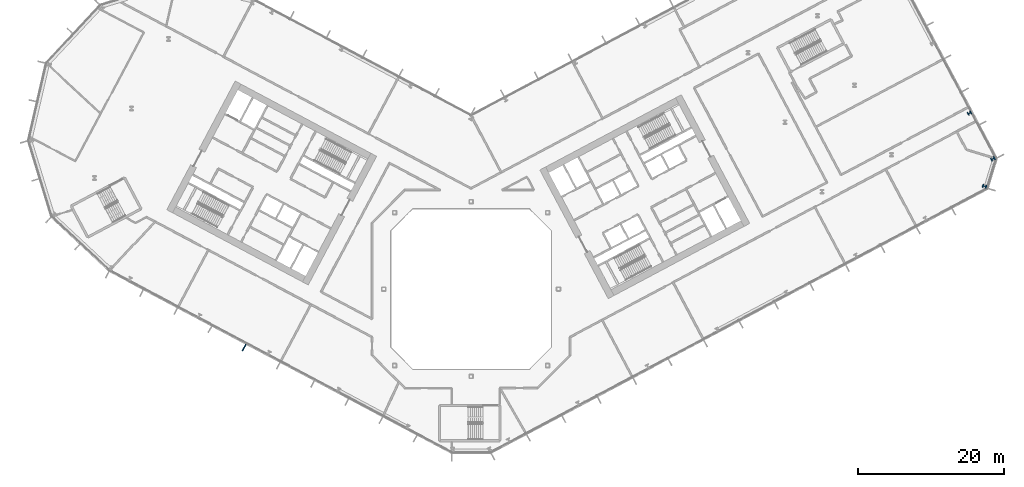
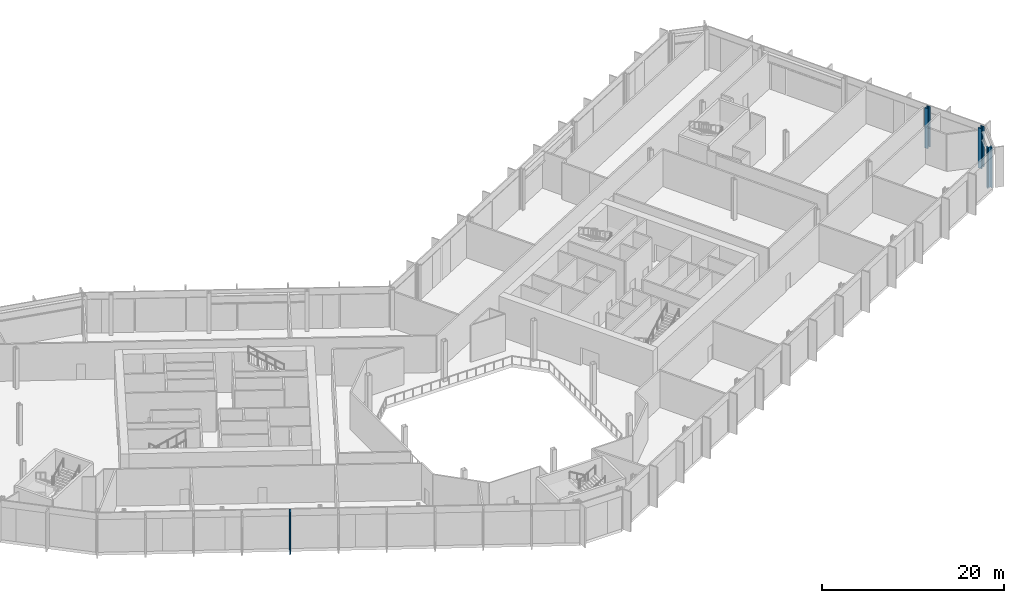
# One storey, part 5 of 32: 3 columns, 1 member, 1 element without a shape of its own.
"""IFC4 building model written with IfcOpenShell, lengths in metres."""

from ifc_helpers import new_model, si_unit, direction, frame, origin, origin_2d, place, context, subcontext, project, spatial, rectangle, i_section, extrude, material, layer, layer_set, material_profile, profile_set, type_object, element, aggregate, save


model = new_model("IFC4")

# Units and contexts
model_context = context("Model", 3, precision=1e-05, world=origin(), true_north=direction((0.0, 1.0)))
body_context = subcontext(model_context, "Body", "Model", "MODEL_VIEW")
ifc_project = project(units=[si_unit("LENGTHUNIT", "METRE"), si_unit("AREAUNIT", "SQUARE_METRE"), si_unit("VOLUMEUNIT", "CUBIC_METRE"), si_unit("PLANEANGLEUNIT", "RADIAN"), si_unit("MASSUNIT", "GRAM", prefix="KILO")], contexts=[model_context])

# Site, building, storey
site_placement = place(None, origin())
site = spatial("IfcSite", under=ifc_project, at=site_placement, CompositionType="ELEMENT")
building_placement = place(site_placement, origin())
building = spatial("IfcBuilding", under=site, at=building_placement, Name="Cormorant Relay Tower", CompositionType="ELEMENT")
storey_placement = place(building_placement, frame((0.0, 0.0, 28.39990234375)))
storey = spatial("IfcBuildingStorey", under=building, at=storey_placement, Name="L05", CompositionType="ELEMENT", Elevation=28.39990234375)

# Columns
ifc_material_1 = material(Name="Steel ASTM A992 (Fy 345 MPa)", Category="steel")
ifc_material_profile_1 = material_profile(ifc_material_1, i_section(OverallWidth=0.45458984375, OverallDepth=0.569091796875, WebThickness=0.077880859375, FlangeThickness=0.124755859375, FilletRadius=0.015380859375, at=origin_2d()), Name="W360x1086")
ifc_profile_set_1 = profile_set([ifc_material_profile_1], Name="Steel ASTM A992 (Fy 345 MPa)")
column_type_1 = type_object("IfcColumnType", Name="Column W360x1086", PredefinedType="COLUMN", material=ifc_profile_set_1)
for number, where, z_axis, x_axis, name in (
    (1, (70.47412109375, 14.10595703125, 0.0), (0.0, 0.0, 1.0), (0.292371704723, 0.956304755963, 0.0), "Column L05-026"),
    (2, (71.625, 17.87109375, 0.0), (0.0, 0.0, 1.0), (-0.469471562786, 0.882947592859, 0.0), "Column L05-028"),
):
    element("IfcColumn", number, at=place(storey_placement, frame(where, z_axis=z_axis, x_axis=x_axis)), inside=storey, type_object=column_type_1, Name=name, PredefinedType="COLUMN", context=body_context, shape_type="SweptSolid", body=[
        extrude(i_section(OverallWidth=0.45458984375, OverallDepth=0.569091796875, WebThickness=0.077880859375, FlangeThickness=0.124755859375, FilletRadius=0.015380859375, at=origin_2d()), origin(), (0.0, 0.0, 1.0), 5.400146484375),
    ])
ifc_material_2 = material(Name="Steel ASTM A992 (Fy 345 MPa)", Category="steel")
ifc_material_profile_2 = material_profile(ifc_material_2, i_section(OverallWidth=0.43701171875, OverallDepth=0.51318359375, WebThickness=0.060546875, FlangeThickness=0.096923828125, FilletRadius=0.015380859375, at=origin_2d()), Name="W360x818")
ifc_profile_set_2 = profile_set([ifc_material_profile_2], Name="Steel ASTM A992 (Fy 345 MPa)")
column_type_2 = type_object("IfcColumnType", Name="Column W360x818", PredefinedType="COLUMN", material=ifc_profile_set_2)
column_placement = place(storey_placement, frame((68.4130859375, 24.14404296875, 0.0), z_axis=(0.0, 0.0, 1.0), x_axis=(-0.469471562786, 0.882947592859, 0.0)))
element("IfcColumn", 3, at=column_placement, inside=storey, type_object=column_type_2, Name="Column L05-033", PredefinedType="COLUMN", context=body_context, shape_type="SweptSolid", body=[
    extrude(i_section(OverallWidth=0.43701171875, OverallDepth=0.51318359375, WebThickness=0.060546875, FlangeThickness=0.096923828125, FilletRadius=0.015380859375, at=origin_2d()), origin(), (0.0, 0.0, 1.0), 5.400146484375),
])

# Curtain wall, member
ifc_material_3 = material(Name="Aluminium 6063-T6 anodised bronze", Category="aluminium")
ifc_layer = layer(ifc_material_3, 0.235107421875)
ifc_layer_set = layer_set([ifc_layer], Name="CW6 data hall curtain wall with mineral wool panels")
curtain_wall_type = type_object("IfcCurtainWallType", Name="CW6 data hall curtain wall with mineral wool panels", PredefinedType="NOTDEFINED", material=ifc_layer_set)
curtain_wall_placement = place(storey_placement, origin())
curtain_wall = element("IfcCurtainWall", 4, at=curtain_wall_placement, inside=storey, type_object=curtain_wall_type, Name="CW6 curtain wall 14", PredefinedType="NOTDEFINED")
ifc_material_4 = material(Name="Aluminium 6063-T6 anodised bronze", Category="aluminium")
ifc_material_profile_3 = material_profile(ifc_material_4, rectangle(XDim=0.14990234375, YDim=1.0, at=origin_2d()), Name="AL 150x1000")
ifc_profile_set_3 = profile_set([ifc_material_profile_3], Name="Aluminium 6063-T6 anodised bronze")
member_type = type_object("IfcMemberType", Name="CW6 bronze fin mullion 150 x 1000", PredefinedType="MULLION", material=ifc_profile_set_3)
member_placement = place(storey_placement, frame((-31.159423828125, -8.048583984375, 0.0), z_axis=(0.0, 0.0, 1.0), x_axis=(0.882947592859, -0.469471562786, 0.0)))
member = element("IfcMember", 5, at=member_placement, type_object=member_type, Name="CW6 fin 14.5", PredefinedType="MULLION", context=body_context, shape_type="SweptSolid", body=[
    extrude(rectangle(XDim=0.14990234375, YDim=1.0, at=origin_2d()), origin(), (0.0, 0.0, 1.0), 5.400146484375),
])
aggregate(curtain_wall, [member])

save(model, "model.ifc")
